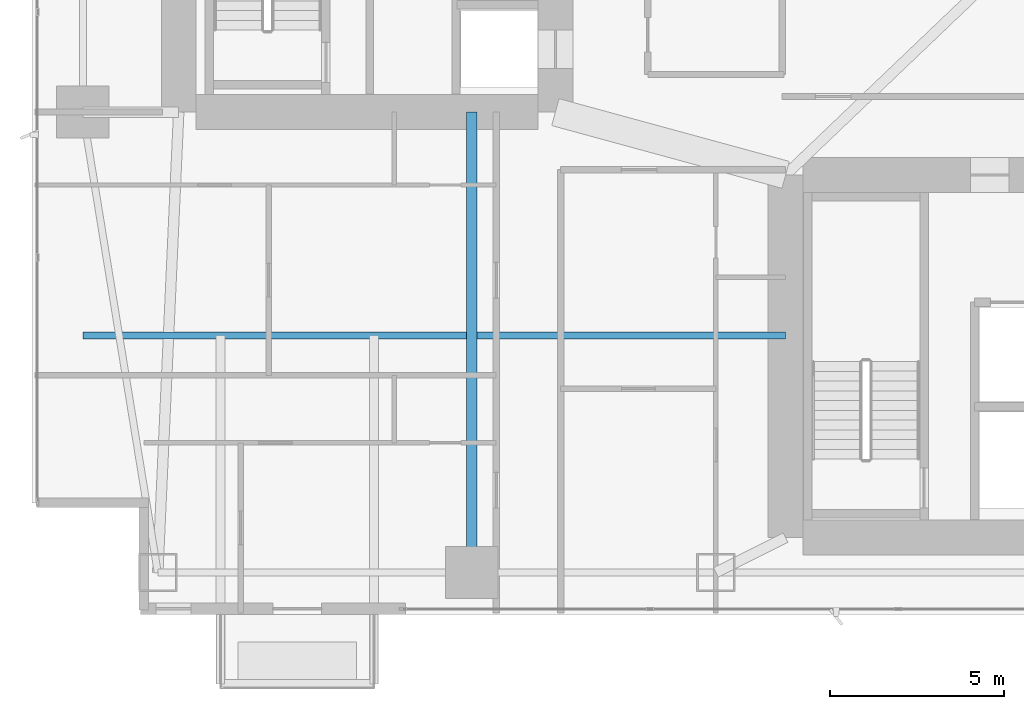
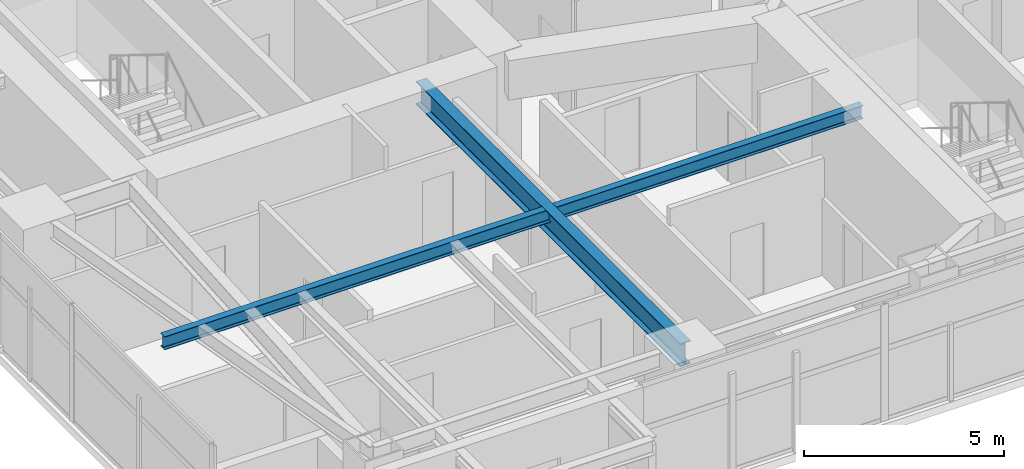
# One storey, part 5 of 29: 2 beams.
"""IFC4 building model written with IfcOpenShell, lengths in metres."""

from ifc_helpers import new_model, si_unit, direction, frame, origin, origin_2d, place, context, subcontext, project, spatial, i_section, extrude, material, material_profile, profile_set, type_object, element, save


model = new_model("IFC4")

# Units and contexts
model_context = context("Model", 3, precision=1e-05, world=origin(), true_north=direction((0.0, 1.0)))
body_context = subcontext(model_context, "Body", "Model", "MODEL_VIEW")
ifc_project = project(units=[si_unit("LENGTHUNIT", "METRE"), si_unit("AREAUNIT", "SQUARE_METRE"), si_unit("VOLUMEUNIT", "CUBIC_METRE"), si_unit("PLANEANGLEUNIT", "RADIAN"), si_unit("MASSUNIT", "GRAM", prefix="KILO")], contexts=[model_context])

# Site, building, storey
site_placement = place(None, origin())
site = spatial("IfcSite", under=ifc_project, at=site_placement, CompositionType="ELEMENT")
building_placement = place(site_placement, origin())
building = spatial("IfcBuilding", under=site, at=building_placement, Name="Calvorn Quay Hotel", CompositionType="ELEMENT")
storey_placement = place(building_placement, frame((0.0, 0.0, 69.800048828125)))
storey = spatial("IfcBuildingStorey", under=building, at=storey_placement, Name="L16", CompositionType="ELEMENT", Elevation=69.800048828125)

# Beams
ifc_material_1 = material(Name="Steel Q390GJC", Category="steel")
ifc_material_profile_1 = material_profile(ifc_material_1, i_section(OverallWidth=0.300048828125, OverallDepth=0.699951171875, WebThickness=0.012939453125, FlangeThickness=0.02392578125, FilletRadius=0.02392578125, at=origin_2d()), Name="HN700x300x13x24")
ifc_profile_set_1 = profile_set([ifc_material_profile_1], Name="Steel Q390GJC")
beam_type_1 = type_object("IfcBeamType", Name="BM-GIRD-MAIN", PredefinedType="BEAM", material=ifc_profile_set_1)
beam_1_placement = place(storey_placement, frame((12.60009765625, 3.60009765625, 3.18994140625), z_axis=(0.0, 1.0, 0.0), x_axis=(-1.0, 0.0, 0.0)))
element("IfcBeam", 1, at=beam_1_placement, inside=storey, type_object=beam_type_1, Name="Beam BG-L16-S1", PredefinedType="BEAM", context=body_context, shape_type="SweptSolid", body=[
    extrude(i_section(OverallWidth=0.300048828125, OverallDepth=0.699951171875, WebThickness=0.012939453125, FlangeThickness=0.02392578125, FilletRadius=0.02392578125, at=origin_2d()), origin(), (0.0, 0.0, 1.0), 13.199951171875),
])
ifc_material_2 = material(Name="Steel Q355B", Category="steel")
ifc_material_profile_2 = material_profile(ifc_material_2, i_section(OverallWidth=0.199951171875, OverallDepth=0.39990234375, WebThickness=0.008056640625, FlangeThickness=0.012939453125, FilletRadius=0.01611328125, at=origin_2d()), Name="HN400x200x8x13")
ifc_profile_set_2 = profile_set([ifc_material_profile_2], Name="Steel Q355B")
beam_type_2 = type_object("IfcBeamType", Name="BM-JOIST-TYP", PredefinedType="JOIST", material=ifc_profile_set_2)
beam_2_placement = place(storey_placement, frame((1.449951171875, 10.39990234375, 3.33984375), z_axis=(1.0, 0.0, 0.0), x_axis=(0.0, 1.0, 0.0)))
element("IfcBeam", 2, at=beam_2_placement, inside=storey, type_object=beam_type_2, Name="Beam BJ-L16-W1", PredefinedType="JOIST", context=body_context, shape_type="SweptSolid", body=[
    extrude(i_section(OverallWidth=0.199951171875, OverallDepth=0.39990234375, WebThickness=0.008056640625, FlangeThickness=0.012939453125, FilletRadius=0.01611328125, at=origin_2d()), origin(), (0.0, 0.0, 1.0), 20.150146484375),
])

save(model, "model.ifc")
